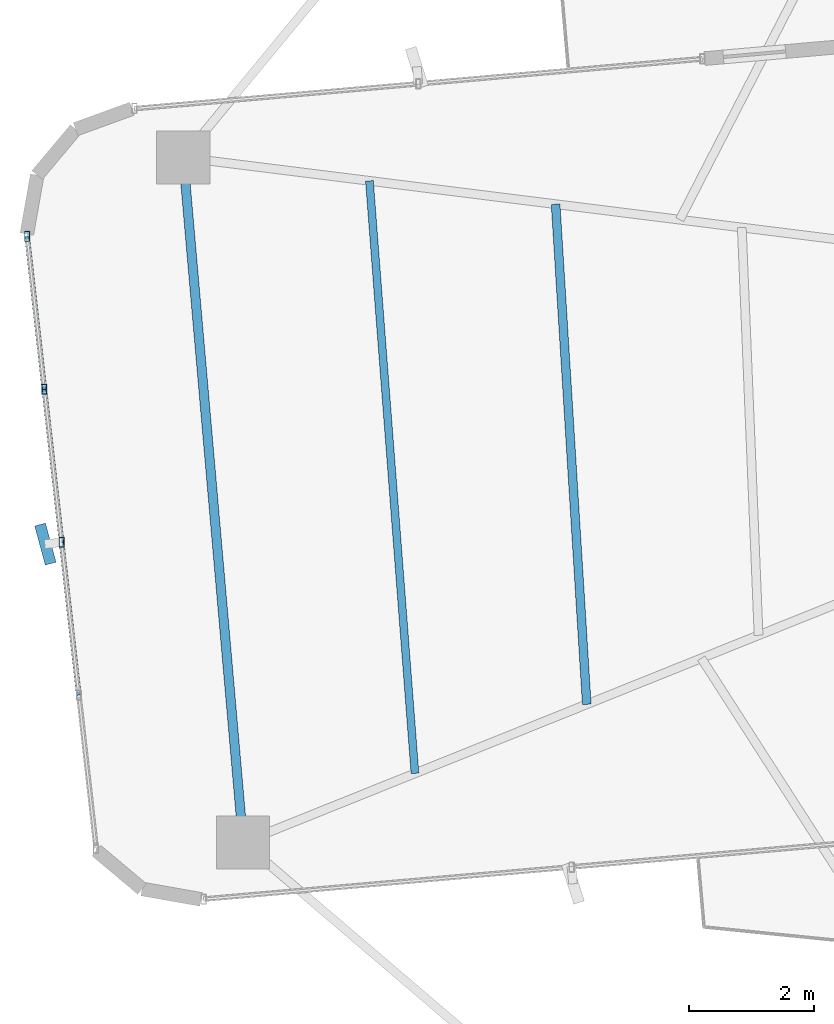
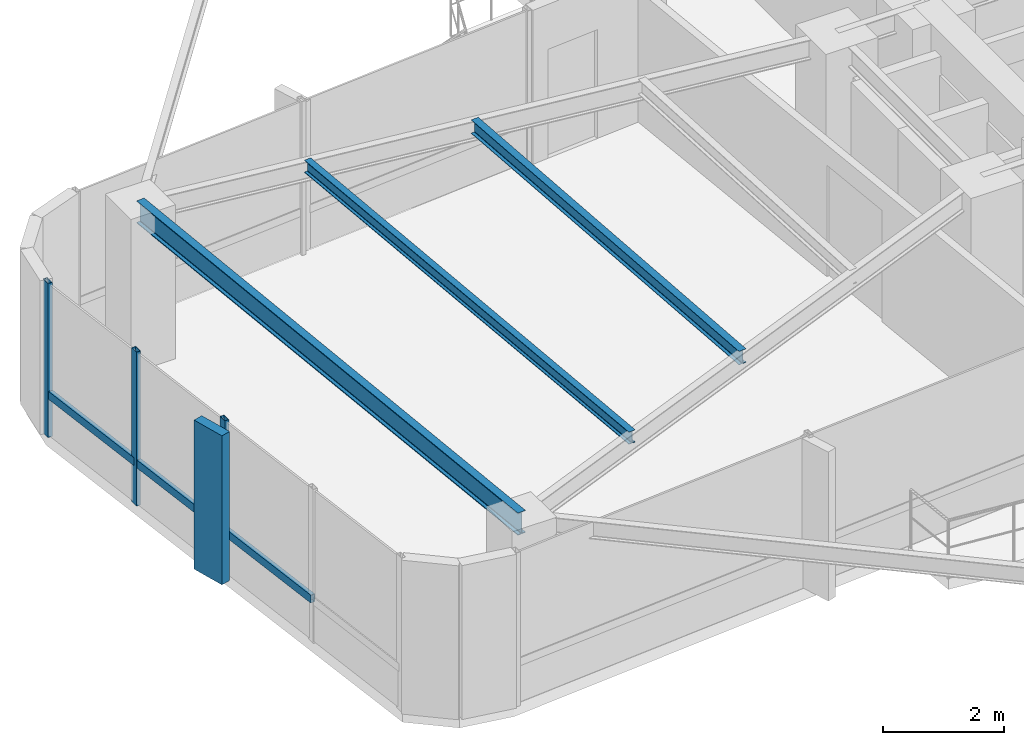
# One storey, part 8 of 24: 7 members, 3 beams, 1 element without a shape of its own.
"""IFC4 building model written with IfcOpenShell, lengths in metres."""

from ifc_helpers import new_model, si_unit, direction, frame, origin, origin_2d, place, context, subcontext, project, spatial, rectangle, hollow_rectangle, i_section, extrude, source, transform, mapped, material, material_profile, profile_set, type_object, element, aggregate, save


model = new_model("IFC4")

# Units and contexts
model_context = context("Model", 3, precision=1e-05, world=origin(), true_north=direction((0.0, 1.0)))
body_context = subcontext(model_context, "Body", "Model", "MODEL_VIEW")
ifc_project = project(units=[si_unit("LENGTHUNIT", "METRE"), si_unit("AREAUNIT", "SQUARE_METRE"), si_unit("VOLUMEUNIT", "CUBIC_METRE"), si_unit("PLANEANGLEUNIT", "RADIAN"), si_unit("MASSUNIT", "GRAM", prefix="KILO")], contexts=[model_context])

# Site, building, storey
site_placement = place(None, origin())
site = spatial("IfcSite", under=ifc_project, at=site_placement, CompositionType="ELEMENT")
building_placement = place(site_placement, origin())
building = spatial("IfcBuilding", under=site, at=building_placement, Name="Sahyath Konkavel Grand Hotel", CompositionType="ELEMENT")
storey_placement = place(building_placement, frame((0.0, 0.0, 150.60009765625)))
storey = spatial("IfcBuildingStorey", under=building, at=storey_placement, Name="L41", CompositionType="ELEMENT", Elevation=150.60009765625)

# Beams
ifc_material_1 = material(Name="Steel E350", Category="steel")
ifc_material_profile_1 = material_profile(ifc_material_1, i_section(OverallWidth=0.14990234375, OverallDepth=0.449951171875, WebThickness=0.009521484375, FlangeThickness=0.017333984375, FilletRadius=0.014892578125, at=origin_2d()), Name="ISMB 450")
ifc_profile_set_1 = profile_set([ifc_material_profile_1], Name="Steel E350")
beam_type_1 = type_object("IfcBeamType", Name="BM-ISMB450", PredefinedType="BEAM", material=ifc_profile_set_1)
shared_shape_1 = source(origin(), body_context, "Body", "SweptSolid", [
    extrude(i_section(OverallWidth=0.14990234375, OverallDepth=0.449951171875, WebThickness=0.009521484375, FlangeThickness=0.017333984375, FilletRadius=0.014892578125, at=origin_2d()), origin(), (0.0, 0.0, 1.0), 11.0),
])
beam_1_placement = place(storey_placement, frame((-17.912841796875, 3.953857421875, 2.885009765625), z_axis=(0.087157314015, -0.996194560622, 0.0), x_axis=(0.996194560622, 0.087157314015, 0.0)))
element("IfcBeam", 1, at=beam_1_placement, inside=storey, type_object=beam_type_1, Name="L41 Wing Tip Edge Beam W", PredefinedType="BEAM", context=body_context, shape_type="MappedRepresentation", body=[
    mapped(shared_shape_1, transform((0.0, 0.0, 0.0), scale=1.0)),
])
ifc_material_profile_2 = material_profile(ifc_material_1, i_section(OverallWidth=0.139892578125, OverallDepth=0.27490234375, WebThickness=0.00634765625, FlangeThickness=0.0087890625, FilletRadius=0.012939453125, at=origin_2d()), Name="ISLB 275")
ifc_profile_set_2 = profile_set([ifc_material_profile_2], Name="Steel E350")
beam_type_2 = type_object("IfcBeamType", Name="BM-ISLB275", PredefinedType="BEAM", material=ifc_profile_set_2)
shared_shape_2 = source(origin(), body_context, "Body", "SweptSolid", [
    extrude(i_section(OverallWidth=0.139892578125, OverallDepth=0.27490234375, WebThickness=0.00634765625, FlangeThickness=0.0087890625, FilletRadius=0.012939453125, at=origin_2d()), origin(), (0.0, 0.0, 1.0), 8.017822265625),
])
beam_2_placement = place(storey_placement, frame((-11.95458984375, 3.2080078125, 2.972412109375), z_axis=(0.062179233264, -0.998064999362, 0.0), x_axis=(0.998064999362, 0.062179233264, 0.0)))
element("IfcBeam", 2, at=beam_2_placement, inside=storey, type_object=beam_type_2, Name="L41 Secondary Floor Beam W-2", PredefinedType="BEAM", context=body_context, shape_type="MappedRepresentation", body=[
    mapped(shared_shape_2, transform((0.0, 0.0, 0.0), scale=1.0)),
])
ifc_material_profile_3 = material_profile(ifc_material_1, i_section(OverallWidth=0.125, OverallDepth=0.25, WebThickness=0.0068359375, FlangeThickness=0.012451171875, FilletRadius=0.012939453125, at=origin_2d()), Name="ISMB 250")
ifc_profile_set_3 = profile_set([ifc_material_profile_3], Name="Steel E350")
beam_type_3 = type_object("IfcBeamType", Name="BM-ISMB250", PredefinedType="BEAM", material=ifc_profile_set_3)
shared_shape_3 = source(origin(), body_context, "Body", "SweptSolid", [
    extrude(i_section(OverallWidth=0.125, OverallDepth=0.25, WebThickness=0.0068359375, FlangeThickness=0.012451171875, FilletRadius=0.012939453125, at=origin_2d()), origin(), (0.0, 0.0, 1.0), 9.508056640625),
])
beam_3_placement = place(storey_placement, frame((-14.93359375, 3.580810546875, 2.98486328125), z_axis=(0.076619921029, -0.997060373148, 0.0), x_axis=(0.997060373148, 0.076619921029, 0.0)))
element("IfcBeam", 3, at=beam_3_placement, inside=storey, type_object=beam_type_3, Name="L41 Secondary Floor Beam W-3", PredefinedType="BEAM", context=body_context, shape_type="MappedRepresentation", body=[
    mapped(shared_shape_3, transform((0.0, 0.0, 0.0), scale=1.0)),
])

# Curtain wall, members
ifc_material_2 = material(Name="Anodised Bronze Aluminium & Low-E Glazing", Category="aluminium")
curtain_wall_type = type_object("IfcCurtainWallType", Name="CW-ZONE3", PredefinedType="NOTDEFINED", material=ifc_material_2)
curtain_wall_placement = place(storey_placement, origin())
curtain_wall = element("IfcCurtainWall", 4, at=curtain_wall_placement, inside=storey, type_object=curtain_wall_type, Name="L41 Unitised Curtain Wall F20", PredefinedType="NOTDEFINED")
ifc_material_3 = material(Name="Anodised Bronze Aluminium", Category="aluminium")
ifc_material_profile_4 = material_profile(ifc_material_3, hollow_rectangle(XDim=0.080078125, YDim=0.159912109375, WallThickness=0.006103515625, at=origin_2d()), Name="RHS 160x80x6")
ifc_profile_set_4 = profile_set([ifc_material_profile_4], Name="Anodised Bronze Aluminium")
member_type_1 = type_object("IfcMemberType", Name="CW-MUL-160", PredefinedType="MULLION", material=ifc_profile_set_4)
shared_shape_4 = source(origin(), body_context, "Body", "SweptSolid", [
    extrude(hollow_rectangle(XDim=0.080078125, YDim=0.159912109375, WallThickness=0.006103515625, at=origin_2d()), origin(), (0.0, 0.0, 1.0), 3.10986328125),
])
member_1_placement = place(storey_placement, frame((-20.4111328125, 2.69140625, 0.0), z_axis=(0.0, 0.0, 1.0), x_axis=(1.0, 0.0, 0.0)))
member_1 = element("IfcMember", 5, at=member_1_placement, type_object=member_type_1, Name="L41 Curtain Wall Mullion F20-0", PredefinedType="MULLION", context=body_context, shape_type="MappedRepresentation", body=[
    mapped(shared_shape_4, transform((0.0, 0.0, 0.0), scale=1.0)),
])
member_2_placement = place(storey_placement, frame((-20.135498046875, 0.24462890625, 0.0), z_axis=(0.0, 0.0, 1.0), x_axis=(1.0, 0.0, 0.0)))
member_2 = element("IfcMember", 6, at=member_2_placement, type_object=member_type_1, Name="L41 Curtain Wall Mullion F20-1", PredefinedType="MULLION", context=body_context, shape_type="MappedRepresentation", body=[
    mapped(shared_shape_4, transform((0.0, 0.0, 0.0), scale=1.0)),
])
member_3_placement = place(storey_placement, frame((-19.859619140625, -2.201904296875, 0.0), z_axis=(0.0, 0.0, 1.0), x_axis=(1.0, 0.0, 0.0)))
member_3 = element("IfcMember", 7, at=member_3_placement, type_object=member_type_1, Name="L41 Curtain Wall Mullion F20-2", PredefinedType="MULLION", context=body_context, shape_type="MappedRepresentation", body=[
    mapped(shared_shape_4, transform((0.0, 0.0, 0.0), scale=1.0)),
])
ifc_material_4 = material(Name="Warm Buff Sandstone Cladding on Concrete C50/60", Category="masonry")
ifc_material_profile_5 = material_profile(ifc_material_4, rectangle(XDim=0.179931640625, YDim=0.64990234375, at=origin_2d()), Name="FIN 180x650")
ifc_profile_set_5 = profile_set([ifc_material_profile_5], Name="Warm Buff Sandstone Cladding on Concrete C50/60")
member_type_2 = type_object("IfcMemberType", Name="FIN-SANDSTONE-650", PredefinedType="MULLION", material=ifc_profile_set_5)
shared_shape_5 = source(origin(), body_context, "Body", "SweptSolid", [
    extrude(rectangle(XDim=0.179931640625, YDim=0.64990234375, at=origin_2d()), origin(), (0.0, 0.0, 1.0), 3.010009765625),
])
member_4_placement = place(storey_placement, frame((-20.1181640625, -2.23095703125, 0.0498046875), z_axis=(0.0, 0.0, 1.0), x_axis=(0.965016494472, 0.262189178641, 0.0)))
member_4 = element("IfcMember", 8, at=member_4_placement, type_object=member_type_2, Name="L41 Sandstone Vertical Solar Fin FIN F20-2", PredefinedType="MULLION", context=body_context, shape_type="MappedRepresentation", body=[
    mapped(shared_shape_5, transform((0.0, 0.0, 0.0), scale=1.0)),
])
ifc_material_profile_6 = material_profile(ifc_material_3, hollow_rectangle(XDim=0.080078125, YDim=0.159912109375, WallThickness=0.006103515625, at=origin_2d()), Name="RHS 160x80x6")
ifc_profile_set_6 = profile_set([ifc_material_profile_6], Name="Anodised Bronze Aluminium")
member_type_3 = type_object("IfcMemberType", Name="CW-TRN-160", PredefinedType="USERDEFINED", material=ifc_profile_set_6)
shared_shape_6 = source(origin(), body_context, "Body", "SweptSolid", [
    extrude(hollow_rectangle(XDim=0.080078125, YDim=0.159912109375, WallThickness=0.006103515625, at=origin_2d()), origin(), (0.0, 0.0, 1.0), 2.462158203125),
])
member_5_placement = place(storey_placement, frame((-20.4111328125, 2.69140625, 0.849853515625), z_axis=(0.11194409079, -0.993714506555, 0.0), x_axis=(0.993714506555, 0.11194409079, 0.0)))
member_5 = element("IfcMember", 9, at=member_5_placement, type_object=member_type_3, Name="L41 Curtain Wall Transom F20-0-spandrel", ObjectType="TRANSOM", PredefinedType="USERDEFINED", context=body_context, shape_type="MappedRepresentation", body=[
    mapped(shared_shape_6, transform((0.0, 0.0, 0.0), scale=1.0)),
])
member_6_placement = place(storey_placement, frame((-20.135498046875, 0.24462890625, 0.849853515625), z_axis=(0.112053040279, -0.99370222711, 0.0), x_axis=(0.99370222711, 0.112053040279, 0.0)))
member_6 = element("IfcMember", 10, at=member_6_placement, type_object=member_type_3, Name="L41 Curtain Wall Transom F20-1-spandrel", ObjectType="TRANSOM", PredefinedType="USERDEFINED", context=body_context, shape_type="MappedRepresentation", body=[
    mapped(shared_shape_6, transform((0.0, 0.0, 0.0), scale=1.0)),
])
shared_shape_7 = source(origin(), body_context, "Body", "SweptSolid", [
    extrude(hollow_rectangle(XDim=0.080078125, YDim=0.159912109375, WallThickness=0.006103515625, at=origin_2d()), origin(), (0.0, 0.0, 1.0), 2.461669921875),
])
member_7_placement = place(storey_placement, frame((-19.859619140625, -2.201904296875, 0.849853515625), z_axis=(0.111966154832, -0.993712020744, 0.0), x_axis=(0.993712020744, 0.111966154832, 0.0)))
member_7 = element("IfcMember", 11, at=member_7_placement, type_object=member_type_3, Name="L41 Curtain Wall Transom F20-2-spandrel", ObjectType="TRANSOM", PredefinedType="USERDEFINED", context=body_context, shape_type="MappedRepresentation", body=[
    mapped(shared_shape_7, transform((0.0, 0.0, 0.0), scale=1.0)),
])
aggregate(curtain_wall, [member_1, member_2, member_3, member_4, member_5, member_6, member_7])

save(model, "model.ifc")
